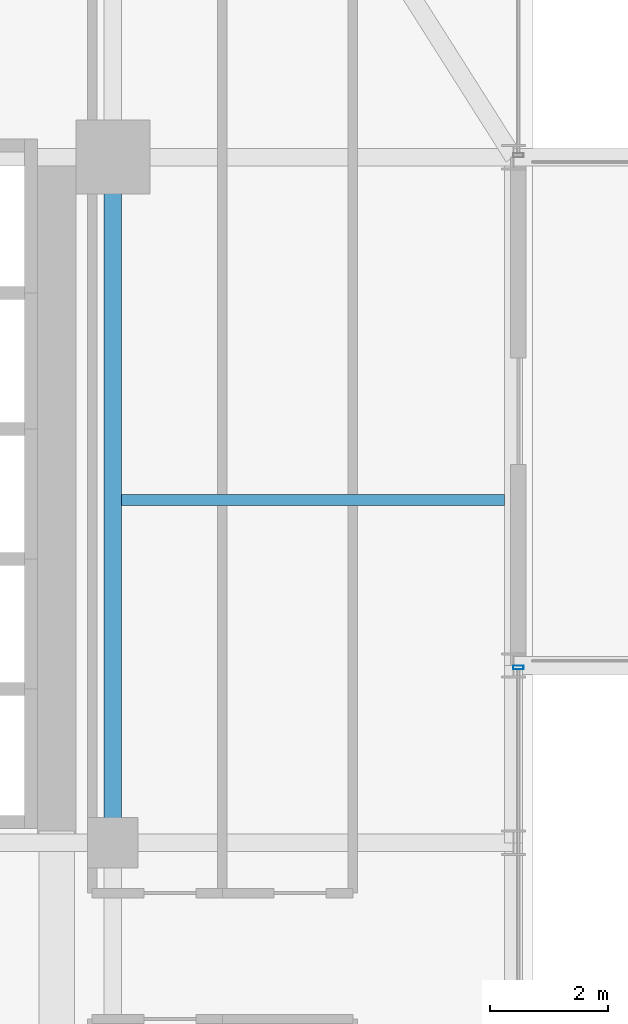
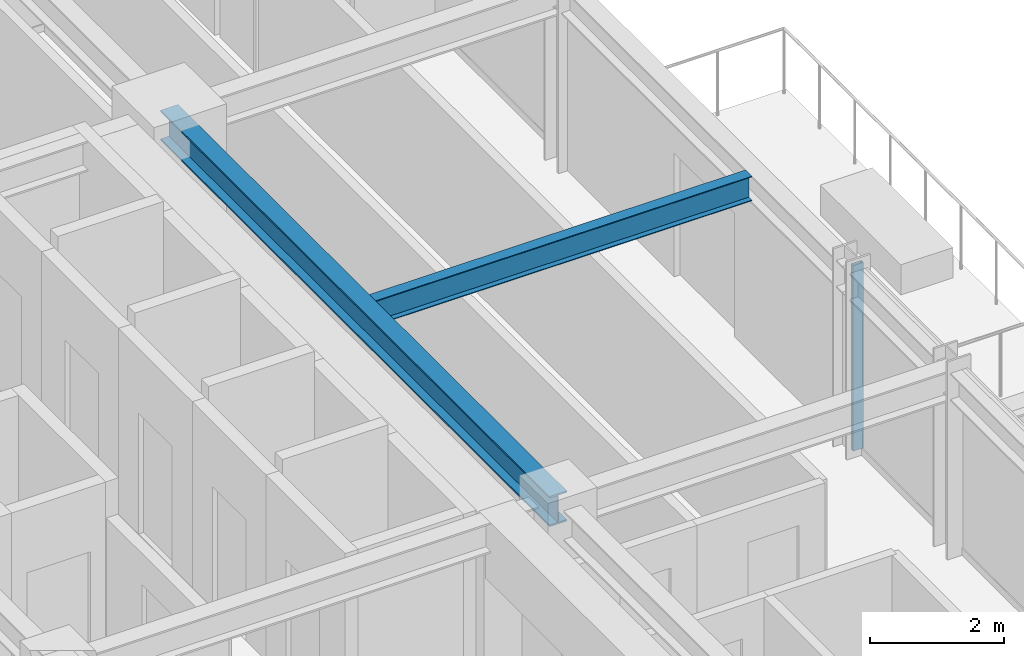
# One storey, part 22 of 33: 2 beams, 1 member, 1 element without a shape of its own.
"""IFC4 building model written with IfcOpenShell, lengths in metres."""

from ifc_helpers import new_model, si_unit, direction, frame, origin, origin_2d, place, context, subcontext, project, spatial, hollow_rectangle, i_section, extrude, source, transform, mapped, material, material_profile, profile_set, type_object, element, aggregate, save


model = new_model("IFC4")

# Units and contexts
model_context = context("Model", 3, precision=1e-05, world=origin(), true_north=direction((0.0, 1.0)))
body_context = subcontext(model_context, "Body", "Model", "MODEL_VIEW")
ifc_project = project(units=[si_unit("LENGTHUNIT", "METRE"), si_unit("AREAUNIT", "SQUARE_METRE"), si_unit("VOLUMEUNIT", "CUBIC_METRE"), si_unit("PLANEANGLEUNIT", "RADIAN"), si_unit("MASSUNIT", "GRAM", prefix="KILO")], contexts=[model_context])

# Site, building, storey
site_placement = place(None, origin())
site = spatial("IfcSite", under=ifc_project, at=site_placement, CompositionType="ELEMENT")
building_placement = place(site_placement, origin())
building = spatial("IfcBuilding", under=site, at=building_placement, Name="Nahalor Promenade Grand Hotel", CompositionType="ELEMENT")
storey_placement = place(building_placement, frame((0.0, 0.0, 117.5)))
storey = spatial("IfcBuildingStorey", under=building, at=storey_placement, Name="L29", CompositionType="ELEMENT", Elevation=117.5)

# Beams
ifc_material_1 = material(Name="Steel S355JR", Category="steel")
ifc_material_profile_1 = material_profile(ifc_material_1, i_section(OverallWidth=0.3, OverallDepth=0.55, WebThickness=0.015, FlangeThickness=0.029, at=origin_2d()), Name="HEB 550")
ifc_profile_set_1 = profile_set([ifc_material_profile_1], Name="Steel S355JR")
beam_type_1 = type_object("IfcBeamType", Name="Beam-Girder-HEB550", PredefinedType="BEAM", material=ifc_profile_set_1)
shared_shape_1 = source(origin(), body_context, "Body", "SweptSolid", [
    extrude(i_section(OverallWidth=0.3, OverallDepth=0.55, WebThickness=0.015, FlangeThickness=0.029, at=origin_2d()), origin(), (0.0, 0.0, 1.0), 11.60009765625),
])
beam_1_placement = place(storey_placement, frame((17.0, 5.39990234375, 3.10498046875), z_axis=(0.0, 1.0, 0.0), x_axis=(-1.0, 0.0, 0.0)))
element("IfcBeam", 1, at=beam_1_placement, inside=storey, type_object=beam_type_1, Name="BM-L29-GY-5-3", PredefinedType="BEAM", context=body_context, shape_type="MappedRepresentation", body=[
    mapped(shared_shape_1, transform((0.0, 0.0, 0.0), scale=1.0)),
])
ifc_material_profile_2 = material_profile(ifc_material_1, i_section(OverallWidth=0.19, OverallDepth=0.45, WebThickness=0.0094, FlangeThickness=0.0146, at=origin_2d()), Name="IPE 450")
ifc_profile_set_2 = profile_set([ifc_material_profile_2], Name="Steel S355JR")
beam_type_2 = type_object("IfcBeamType", Name="Beam-Joist-IPE450", PredefinedType="JOIST", material=ifc_profile_set_2)
shared_shape_2 = source(origin(), body_context, "Body", "SweptSolid", [
    extrude(i_section(OverallWidth=0.19, OverallDepth=0.45, WebThickness=0.0094, FlangeThickness=0.0146, at=origin_2d()), origin(), (0.0, 0.0, 1.0), 6.47998046875),
])
beam_2_placement = place(storey_placement, frame((17.14990234375, 11.199951171875, 3.155029296875), z_axis=(1.0, 0.0, 0.0), x_axis=(0.0, 1.0, 0.0)))
element("IfcBeam", 2, at=beam_2_placement, inside=storey, type_object=beam_type_2, Name="BM-L29-JSE-1-2", PredefinedType="JOIST", context=body_context, shape_type="MappedRepresentation", body=[
    mapped(shared_shape_2, transform((0.0, 0.0, 0.0), scale=1.0)),
])

# Curtain wall, member
ifc_material_2 = material(Name="Anodised Bronze Aluminium EN AW-6063 T6", Category="aluminium")
curtain_wall_type = type_object("IfcCurtainWallType", Name="CW2 Typical Hotel Flush Bronze Unitised Curtain Wall", PredefinedType="USERDEFINED", material=ifc_material_2)
curtain_wall_placement = place(storey_placement, origin())
curtain_wall = element("IfcCurtainWall", 3, at=curtain_wall_placement, inside=storey, type_object=curtain_wall_type, Name="L29 Curtain Wall CW-L29-E-1", ObjectType="UNITISED_CURTAIN_WALL", PredefinedType="USERDEFINED")
ifc_material_profile_3 = material_profile(ifc_material_2, hollow_rectangle(XDim=0.065, YDim=0.18, WallThickness=0.004, at=origin_2d()), Name="CWM 65x180x4")
ifc_profile_set_3 = profile_set([ifc_material_profile_3], Name="Anodised Bronze Aluminium EN AW-6063 T6")
member_type = type_object("IfcMemberType", Name="CWM2 Typical Bronze Mullion 65x180", PredefinedType="MULLION", material=ifc_profile_set_3)
shared_shape_3 = source(origin(), body_context, "Body", "SweptSolid", [
    extrude(hollow_rectangle(XDim=0.065, YDim=0.18, WallThickness=0.004, at=origin_2d()), origin(), (0.0, 0.0, 1.0), 3.3798828125),
])
member_placement = place(storey_placement, frame((23.860107421875, 8.367431640625, 0.0), z_axis=(0.0, 0.0, 1.0), x_axis=(0.0, 1.0, 0.0)))
member = element("IfcMember", 4, at=member_placement, type_object=member_type, Name="CW-L29-E-1 Mullion 3", PredefinedType="MULLION", context=body_context, shape_type="MappedRepresentation", body=[
    mapped(shared_shape_3, transform((0.0, 0.0, 0.0), scale=1.0)),
])
aggregate(curtain_wall, [member])

save(model, "model.ifc")
